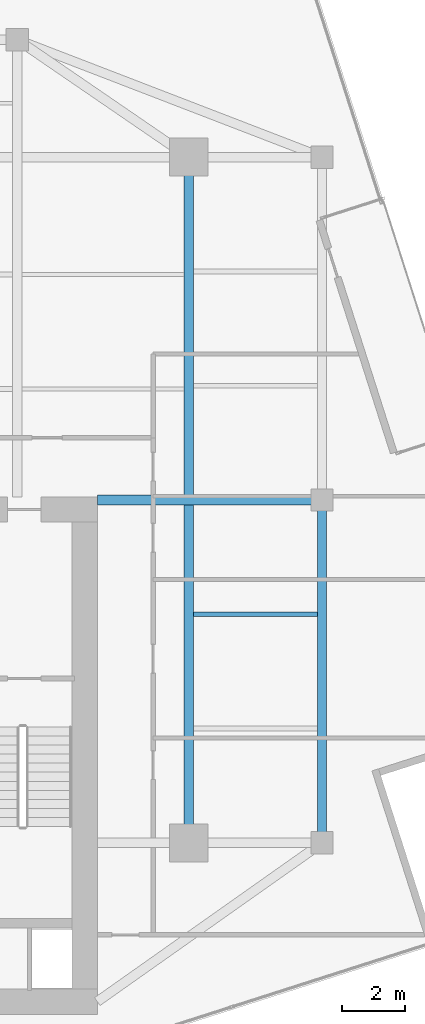
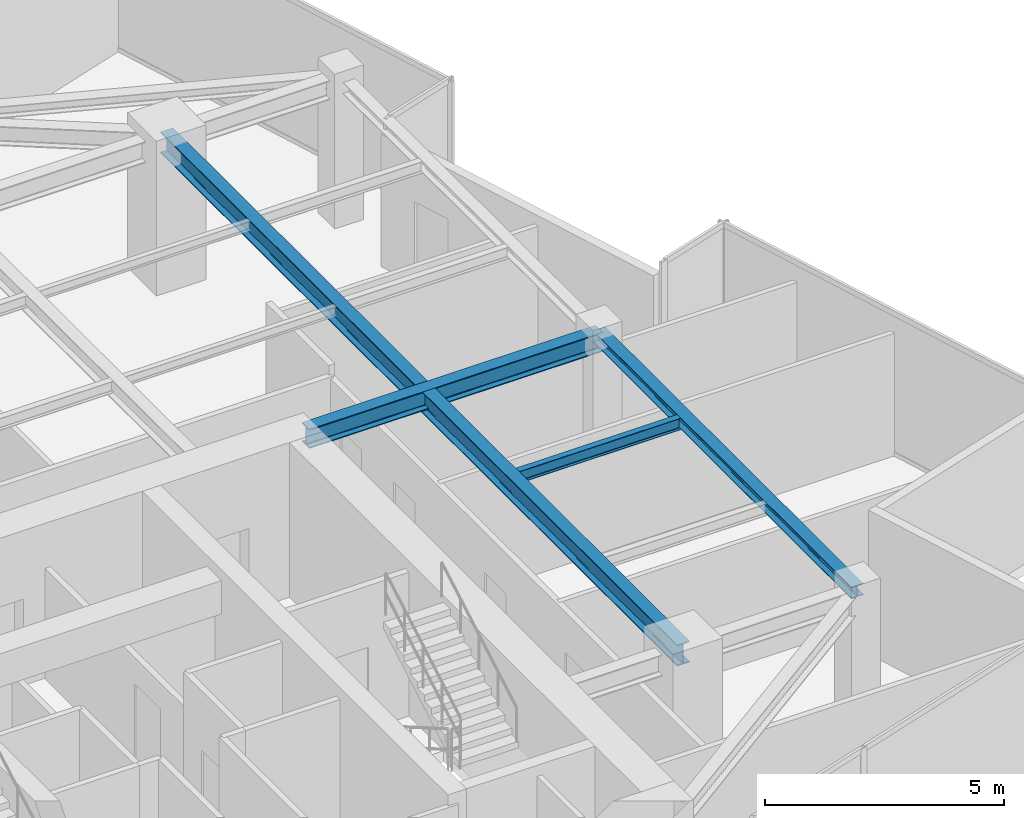
# One storey, part 10 of 21: 4 beams.
"""IFC4 building model written with IfcOpenShell, lengths in metres."""

from ifc_helpers import new_model, si_unit, direction, frame, origin, origin_2d, place, context, subcontext, project, spatial, i_section, extrude, source, transform, mapped, material, material_profile, profile_set, type_object, type_shapes, element, save


model = new_model("IFC4")

# Units and contexts
model_context = context("Model", 3, precision=1e-05, world=origin(), true_north=direction((0.0, 1.0)))
body_context = subcontext(model_context, "Body", "Model", "MODEL_VIEW")
ifc_project = project(units=[si_unit("LENGTHUNIT", "METRE"), si_unit("AREAUNIT", "SQUARE_METRE"), si_unit("VOLUMEUNIT", "CUBIC_METRE"), si_unit("PLANEANGLEUNIT", "RADIAN"), si_unit("MASSUNIT", "GRAM", prefix="KILO")], contexts=[model_context])

# Site, building, storey
site_placement = place(None, origin())
site = spatial("IfcSite", under=ifc_project, at=site_placement, CompositionType="ELEMENT")
building_placement = place(site_placement, origin())
building = spatial("IfcBuilding", under=site, at=building_placement, Name="Krantzveldt Concourse Tower", CompositionType="ELEMENT")
storey_placement = place(building_placement, frame((0.0, 0.0, 339.550048828125)))
storey = spatial("IfcBuildingStorey", under=building, at=storey_placement, Name="L83", CompositionType="ELEMENT", Elevation=339.550048828125)

# Beams
ifc_material = material(Name="Steel S355JR", Category="steel")
ifc_material_profile_1 = material_profile(ifc_material, i_section(OverallWidth=0.300048828125, OverallDepth=0.489990234375, WebThickness=0.011962890625, FlangeThickness=0.02294921875, FilletRadius=0.027099609375, at=origin_2d()), Name="Steel S355JR", Category="steel")
ifc_profile_set_1 = profile_set([ifc_material_profile_1], Name="Steel S355JR - HEA 500")
beam_type_1 = type_object("IfcBeamType", Name="BM-B-HEA500", PredefinedType="BEAM", material=ifc_profile_set_1)
shared_shape_1 = source(origin(), body_context, "Body", "SweptSolid", [
    extrude(i_section(OverallWidth=0.300048828125, OverallDepth=0.489990234375, WebThickness=0.011962890625, FlangeThickness=0.02294921875, FilletRadius=0.027099609375, at=origin_2d()), origin(), (0.0, 0.0, 1.0), 7.080078125),
])
type_shapes(beam_type_1, [shared_shape_1])
beam_1_placement = place(storey_placement, frame((43.919921875, 26.699951171875, 3.425048828125), z_axis=(1.0, 0.0, 0.0), x_axis=(0.0, 1.0, 0.0)))
element("IfcBeam", 1, at=beam_1_placement, inside=storey, type_object=beam_type_1, Name="L83 Tower Girder BG-CE2", PredefinedType="BEAM", context=body_context, shape_type="MappedRepresentation", body=[
    mapped(shared_shape_1, transform((0.0, 0.0, 0.0), x_axis=(1.0, 0.0, 0.0), y_axis=(0.0, 1.0, 0.0), z_axis=(0.0, 0.0, 1.0), scale=1.0)),
])
ifc_material_profile_2 = material_profile(ifc_material, i_section(OverallWidth=0.300048828125, OverallDepth=0.5400390625, WebThickness=0.012451171875, FlangeThickness=0.02392578125, FilletRadius=0.027099609375, at=origin_2d()), Name="Steel S355JR", Category="steel")
ifc_profile_set_2 = profile_set([ifc_material_profile_2], Name="Steel S355JR - HEA 550")
beam_type_2 = type_object("IfcBeamType", Name="BM-B-HEA550", PredefinedType="BEAM", material=ifc_profile_set_2)
shared_shape_2 = source(origin(), body_context, "Body", "SweptSolid", [
    extrude(i_section(OverallWidth=0.300048828125, OverallDepth=0.5400390625, WebThickness=0.012451171875, FlangeThickness=0.02392578125, FilletRadius=0.027099609375, at=origin_2d()), origin(), (0.0, 0.0, 1.0), 21.60009765625),
])
type_shapes(beam_type_2, [shared_shape_2])
beam_2_placement = place(storey_placement, frame((46.800048828125, 15.89990234375, 3.39990234375), z_axis=(0.0, 1.0, 0.0), x_axis=(-1.0, 0.0, 0.0)))
element("IfcBeam", 2, at=beam_2_placement, inside=storey, type_object=beam_type_2, Name="L83 Tower Girder BG-ME", PredefinedType="BEAM", context=body_context, shape_type="MappedRepresentation", body=[
    mapped(shared_shape_2, transform((0.0, 0.0, 0.0), x_axis=(1.0, 0.0, 0.0), y_axis=(0.0, 1.0, 0.0), z_axis=(0.0, 0.0, 1.0), scale=1.0)),
])
ifc_material_profile_3 = material_profile(ifc_material, i_section(OverallWidth=0.2900390625, OverallDepth=0.2900390625, WebThickness=0.008544921875, FlangeThickness=0.013916015625, FilletRadius=0.027099609375, at=origin_2d()), Name="Steel S355JR", Category="steel")
ifc_profile_set_3 = profile_set([ifc_material_profile_3], Name="Steel S355JR - HEA 300")
beam_type_3 = type_object("IfcBeamType", Name="BM-SP-HEA300", PredefinedType="SPANDREL", material=ifc_profile_set_3)
shared_shape_3 = source(origin(), body_context, "Body", "SweptSolid", [
    extrude(i_section(OverallWidth=0.2900390625, OverallDepth=0.2900390625, WebThickness=0.008544921875, FlangeThickness=0.013916015625, FilletRadius=0.027099609375, at=origin_2d()), origin(), (0.0, 0.0, 1.0), 10.800048828125),
])
type_shapes(beam_type_3, [shared_shape_3])
beam_3_placement = place(storey_placement, frame((51.0, 26.699951171875, 3.52490234375), z_axis=(0.0, -1.0, 0.0), x_axis=(1.0, 0.0, 0.0)))
element("IfcBeam", 3, at=beam_3_placement, inside=storey, type_object=beam_type_3, Name="L83 Tower Girder SP-R07", PredefinedType="SPANDREL", context=body_context, shape_type="MappedRepresentation", body=[
    mapped(shared_shape_3, transform((0.0, 0.0, 0.0), x_axis=(1.0, 0.0, 0.0), y_axis=(0.0, 1.0, 0.0), z_axis=(0.0, 0.0, 1.0), scale=1.0)),
])
ifc_material_profile_4 = material_profile(ifc_material, i_section(OverallWidth=0.14990234375, OverallDepth=0.300048828125, WebThickness=0.007080078125, FlangeThickness=0.0107421875, FilletRadius=0.014892578125, at=origin_2d()), Name="Steel S355JR", Category="steel")
ifc_profile_set_4 = profile_set([ifc_material_profile_4], Name="Steel S355JR - IPE 300")
beam_type_4 = type_object("IfcBeamType", Name="BM-J-IPE300", PredefinedType="JOIST", material=ifc_profile_set_4)
shared_shape_4 = source(origin(), body_context, "Body", "SweptSolid", [
    extrude(i_section(OverallWidth=0.14990234375, OverallDepth=0.300048828125, WebThickness=0.007080078125, FlangeThickness=0.0107421875, FilletRadius=0.014892578125, at=origin_2d()), origin(), (0.0, 0.0, 1.0), 3.900146484375),
])
type_shapes(beam_type_4, [shared_shape_4])
beam_4_placement = place(storey_placement, frame((46.949951171875, 23.10009765625, 3.52001953125), z_axis=(1.0, 0.0, 0.0), x_axis=(0.0, 1.0, 0.0)))
element("IfcBeam", 4, at=beam_4_placement, inside=storey, type_object=beam_type_4, Name="L83 Secondary Floor Joist JE-2", PredefinedType="JOIST", context=body_context, shape_type="MappedRepresentation", body=[
    mapped(shared_shape_4, transform((0.0, 0.0, 0.0), x_axis=(1.0, 0.0, 0.0), y_axis=(0.0, 1.0, 0.0), z_axis=(0.0, 0.0, 1.0), scale=1.0)),
])

save(model, "model.ifc")
